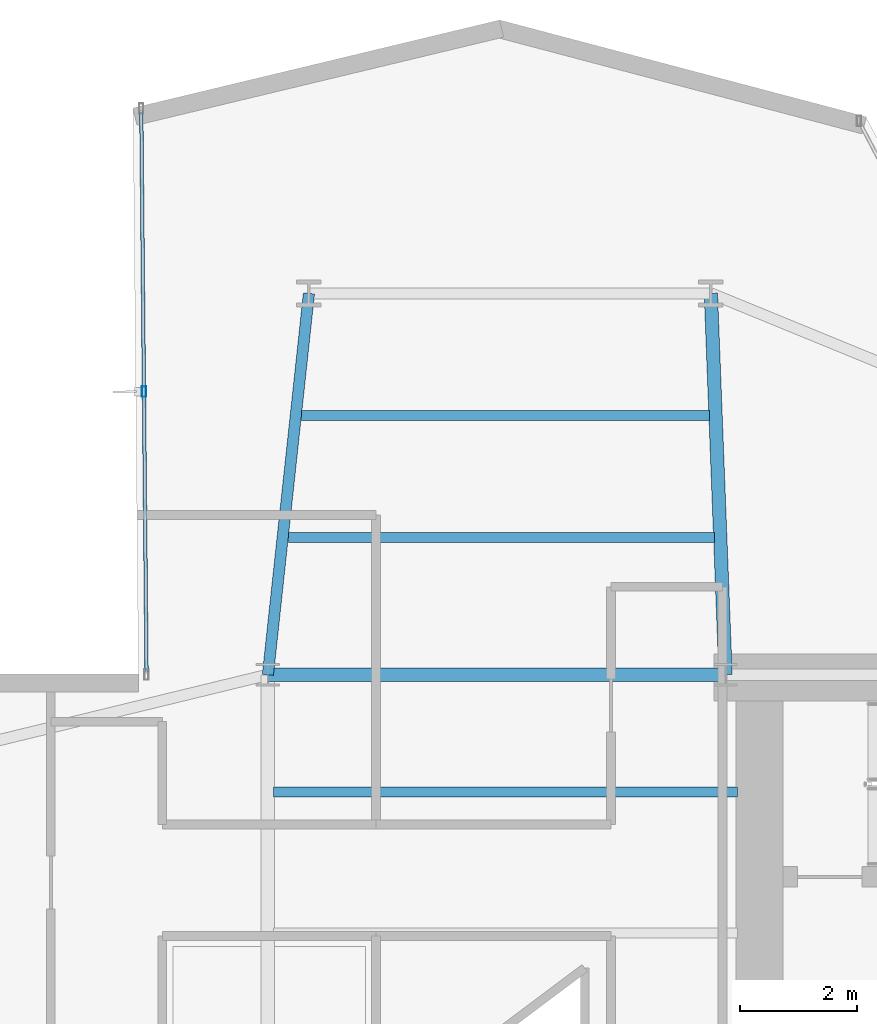
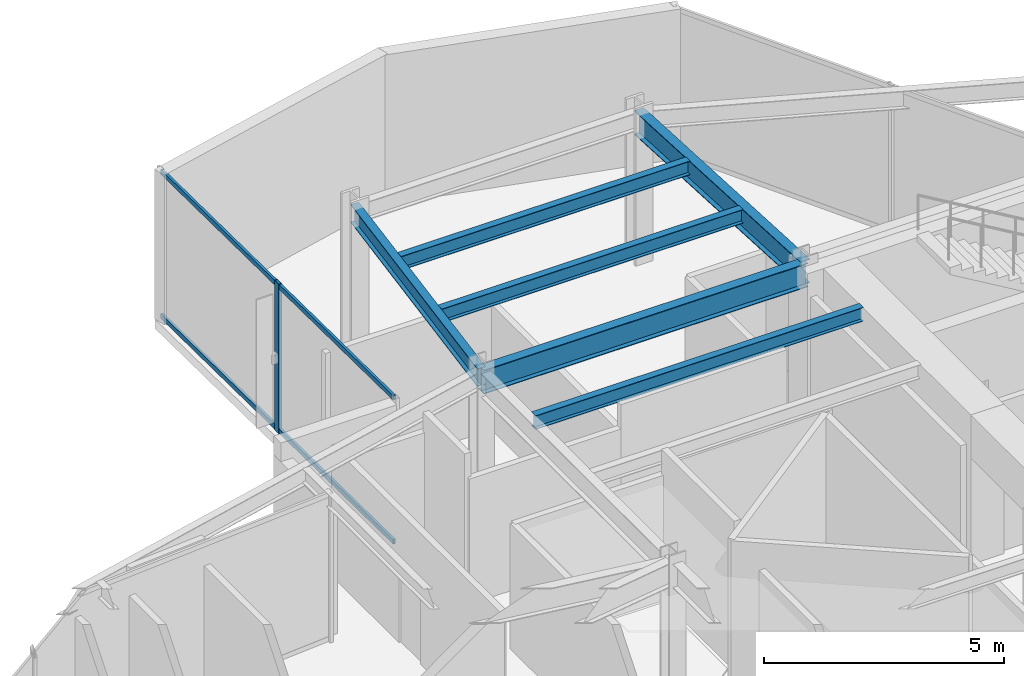
# One storey, part 11 of 25: 6 beams, 3 members, 1 element without a shape of its own.
"""IFC4 building model written with IfcOpenShell, lengths in metres."""

from ifc_helpers import new_model, si_unit, direction, frame, origin, origin_2d, place, context, subcontext, project, spatial, hollow_rectangle, i_section, extrude, material, layer, layer_set, material_profile, profile_set, type_object, element, aggregate, save


model = new_model("IFC4")

# Units and contexts
model_context = context("Model", 3, precision=1e-05, world=origin(), true_north=direction((0.0, 1.0)))
body_context = subcontext(model_context, "Body", "Model", "MODEL_VIEW")
ifc_project = project(units=[si_unit("LENGTHUNIT", "METRE"), si_unit("AREAUNIT", "SQUARE_METRE"), si_unit("VOLUMEUNIT", "CUBIC_METRE"), si_unit("PLANEANGLEUNIT", "RADIAN"), si_unit("MASSUNIT", "GRAM", prefix="KILO")], contexts=[model_context])

# Site, building, storey
site_placement = place(None, origin())
site = spatial("IfcSite", under=ifc_project, at=site_placement, CompositionType="ELEMENT")
building_placement = place(site_placement, origin())
building = spatial("IfcBuilding", under=site, at=building_placement, Name="Veymaron Broadcast Tower", CompositionType="ELEMENT")
storey_placement = place(building_placement, frame((0.0, 0.0, 145.199951171875)))
storey = spatial("IfcBuildingStorey", under=building, at=storey_placement, Name="L33", CompositionType="ELEMENT", Elevation=145.199951171875)

# Beams
ifc_material_1 = material(Name="Structural steel ASTM A992 Gr 50", Category="steel")
ifc_material_profile_1 = material_profile(ifc_material_1, i_section(OverallWidth=0.22802734375, OverallDepth=0.60791015625, WebThickness=0.01123046875, FlangeThickness=0.017333984375, at=origin_2d()), Name="W610X113")
ifc_profile_set_1 = profile_set([ifc_material_profile_1], Name="Structural steel ASTM A992 Gr 50")
beam_type_1 = type_object("IfcBeamType", Name="BM-FG2", PredefinedType="BEAM", material=ifc_profile_set_1)
beam_1_placement = place(storey_placement, frame((31.199951171875, 32.0, 3.506103515625), z_axis=(1.0, 0.0, 0.0), x_axis=(0.0, 1.0, 0.0)))
element("IfcBeam", 1, at=beam_1_placement, inside=storey, type_object=beam_type_1, Name="L33 primary structural floor girder", PredefinedType="BEAM", context=body_context, shape_type="SweptSolid", body=[
    extrude(i_section(OverallWidth=0.22802734375, OverallDepth=0.60791015625, WebThickness=0.01123046875, FlangeThickness=0.017333984375, at=origin_2d()), origin(), (0.0, 0.0, 1.0), 7.800048828125),
])
beam_2_placement = place(storey_placement, frame((39.0, 32.0, 3.506103515625), z_axis=(-0.038433122101, 0.999261174631, 0.0), x_axis=(-0.999261174631, -0.038433122101, 0.0)))
element("IfcBeam", 2, at=beam_2_placement, inside=storey, type_object=beam_type_1, Name="L33 primary structural floor girder", PredefinedType="BEAM", context=body_context, shape_type="SweptSolid", body=[
    extrude(i_section(OverallWidth=0.22802734375, OverallDepth=0.60791015625, WebThickness=0.01123046875, FlangeThickness=0.017333984375, at=origin_2d()), origin(), (0.0, 0.0, 1.0), 6.5048828125),
])
ifc_material_profile_2 = material_profile(ifc_material_1, i_section(OverallWidth=0.1708984375, OverallDepth=0.35498046875, WebThickness=0.007080078125, FlangeThickness=0.01171875, at=origin_2d()), Name="W360X51")
ifc_profile_set_2 = profile_set([ifc_material_profile_2], Name="Structural steel ASTM A992 Gr 50")
beam_type_2 = type_object("IfcBeamType", Name="BM-JS2", PredefinedType="JOIST", material=ifc_profile_set_2)
beam_3_placement = place(storey_placement, frame((31.552001953125, 34.340087890625, 3.632568359375), z_axis=(1.0, 0.0, 0.0), x_axis=(0.0, 1.0, 0.0)))
element("IfcBeam", 3, at=beam_3_placement, inside=storey, type_object=beam_type_2, Name="L33 Arm-B secondary joist 1", PredefinedType="JOIST", context=body_context, shape_type="SweptSolid", body=[
    extrude(i_section(OverallWidth=0.1708984375, OverallDepth=0.35498046875, WebThickness=0.007080078125, FlangeThickness=0.01171875, at=origin_2d()), origin(), (0.0, 0.0, 1.0), 7.258056640625),
])
beam_4_placement = place(storey_placement, frame((31.77587890625, 36.419921875, 3.632568359375), z_axis=(1.0, 0.0, 0.0), x_axis=(0.0, 1.0, 0.0)))
element("IfcBeam", 4, at=beam_4_placement, inside=storey, type_object=beam_type_2, Name="L33 Arm-B secondary joist 2", PredefinedType="JOIST", context=body_context, shape_type="SweptSolid", body=[
    extrude(i_section(OverallWidth=0.1708984375, OverallDepth=0.35498046875, WebThickness=0.007080078125, FlangeThickness=0.01171875, at=origin_2d()), origin(), (0.0, 0.0, 1.0), 6.9541015625),
])
beam_5_placement = place(storey_placement, frame((31.300048828125, 30.0, 3.632568359375), z_axis=(1.0, 0.0, 0.0), x_axis=(0.0, 1.0, 0.0)))
element("IfcBeam", 5, at=beam_5_placement, inside=storey, type_object=beam_type_2, Name="L33 Hub secondary joist 4", PredefinedType="JOIST", context=body_context, shape_type="SweptSolid", body=[
    extrude(i_section(OverallWidth=0.1708984375, OverallDepth=0.35498046875, WebThickness=0.007080078125, FlangeThickness=0.01171875, at=origin_2d()), origin(), (0.0, 0.0, 1.0), 7.89990234375),
])
ifc_material_profile_3 = material_profile(ifc_material_1, i_section(OverallWidth=0.19091796875, OverallDepth=0.4599609375, WebThickness=0.010009765625, FlangeThickness=0.01611328125, at=origin_2d()), Name="W460X82")
ifc_profile_set_3 = profile_set([ifc_material_profile_3], Name="Structural steel ASTM A992 Gr 50")
beam_type_3 = type_object("IfcBeamType", Name="BM-SP1", PredefinedType="SPANDREL", material=ifc_profile_set_3)
beam_6_placement = place(storey_placement, frame((31.199951171875, 32.0, 3.580078125), z_axis=(0.107065816505, 0.994251935344, 0.0), x_axis=(-0.994251935344, 0.107065816505, 0.0)))
element("IfcBeam", 6, at=beam_6_placement, inside=storey, type_object=beam_type_3, Name="L33 primary structural floor girder", PredefinedType="SPANDREL", context=body_context, shape_type="SweptSolid", body=[
    extrude(i_section(OverallWidth=0.19091796875, OverallDepth=0.4599609375, WebThickness=0.010009765625, FlangeThickness=0.01611328125, at=origin_2d()), origin(), (0.0, 0.0, 1.0), 6.53759765625),
])

# Curtain wall, members
ifc_material_2 = material(Name="Anodised aluminium AA 6063-T6 and laminated low-E dark glass", Category="aluminium")
ifc_layer = layer(ifc_material_2, 0.179931640625)
ifc_layer_set = layer_set([ifc_layer], Name="Anodised aluminium AA 6063-T6 and laminated low-E dark glass")
curtain_wall_type = type_object("IfcCurtainWallType", Name="CW-SYS-03", PredefinedType="NOTDEFINED", material=ifc_layer_set)
curtain_wall_placement = place(storey_placement, origin())
curtain_wall = element("IfcCurtainWall", 7, at=curtain_wall_placement, inside=storey, type_object=curtain_wall_type, Name="L33 dark-glass curtain wall CW-L33-E8-1", PredefinedType="NOTDEFINED")
ifc_material_3 = material(Name="Anodised aluminium AA 6063-T6", Category="aluminium")
ifc_material_profile_4 = material_profile(ifc_material_3, hollow_rectangle(XDim=0.074951171875, YDim=0.179931640625, WallThickness=0.0048828125, at=origin_2d()), Name="AL180X75X5")
ifc_profile_set_4 = profile_set([ifc_material_profile_4], Name="Anodised aluminium AA 6063-T6")
member_type_1 = type_object("IfcMemberType", Name="CW-MUL-02", PredefinedType="MULLION", material=ifc_profile_set_4)
member_1_placement = place(storey_placement, frame((29.08740234375, 36.826416015625, 0.0), z_axis=(0.0, 0.0, 1.0), x_axis=(1.0, 0.0, 0.0)))
member_1 = element("IfcMember", 8, at=member_1_placement, type_object=member_type_1, Name="CW-L33-E8-1 mullion 1", PredefinedType="MULLION", context=body_context, shape_type="SweptSolid", body=[
    extrude(hollow_rectangle(XDim=0.074951171875, YDim=0.179931640625, WallThickness=0.0048828125, at=origin_2d()), origin(), (0.0, 0.0, 1.0), 3.81005859375),
])
ifc_material_profile_5 = material_profile(ifc_material_3, hollow_rectangle(XDim=0.06005859375, YDim=0.1201171875, WallThickness=0.00390625, at=origin_2d()), Name="AL120X60X4")
ifc_profile_set_5 = profile_set([ifc_material_profile_5], Name="Anodised aluminium AA 6063-T6")
member_type_2 = type_object("IfcMemberType", Name="CW-TRN-02", PredefinedType="USERDEFINED", material=ifc_profile_set_5)
member_2_placement = place(storey_placement, frame((29.042724609375, 41.601318359375, 0.070068359375), z_axis=(0.009356136215, -0.9999562304, 0.0), x_axis=(0.9999562304, 0.009356136215, 0.0)))
member_2 = element("IfcMember", 9, at=member_2_placement, type_object=member_type_2, Name="CW-L33-E8-1 transom B", ObjectType="TRANSOM", PredefinedType="USERDEFINED", context=body_context, shape_type="SweptSolid", body=[
    extrude(hollow_rectangle(XDim=0.06005859375, YDim=0.1201171875, WallThickness=0.00390625, at=origin_2d()), origin(), (0.0, 0.0, 1.0), 9.550537109375),
])
member_3_placement = place(storey_placement, frame((29.042724609375, 41.601318359375, 3.739990234375), z_axis=(0.009356136215, -0.9999562304, 0.0), x_axis=(0.9999562304, 0.009356136215, 0.0)))
member_3 = element("IfcMember", 10, at=member_3_placement, type_object=member_type_2, Name="CW-L33-E8-1 transom T", ObjectType="TRANSOM", PredefinedType="USERDEFINED", context=body_context, shape_type="SweptSolid", body=[
    extrude(hollow_rectangle(XDim=0.06005859375, YDim=0.1201171875, WallThickness=0.00390625, at=origin_2d()), origin(), (0.0, 0.0, 1.0), 9.550537109375),
])
aggregate(curtain_wall, [member_1, member_2, member_3])

save(model, "model.ifc")
